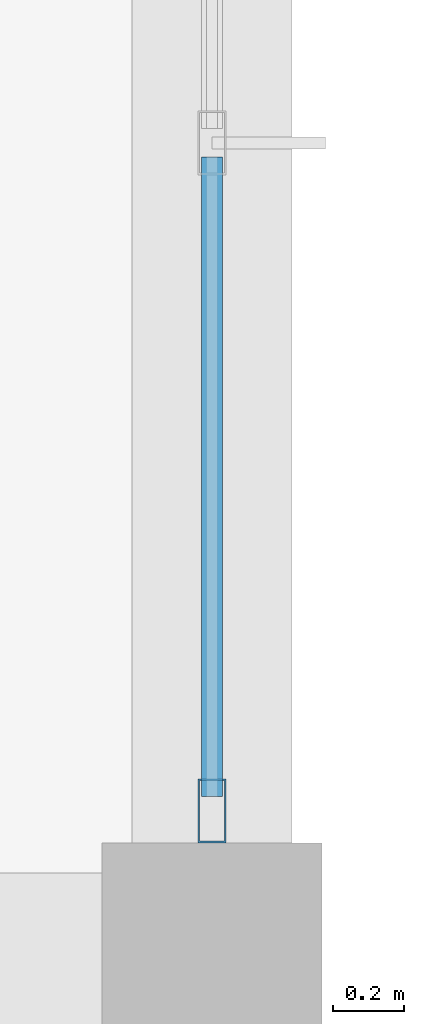
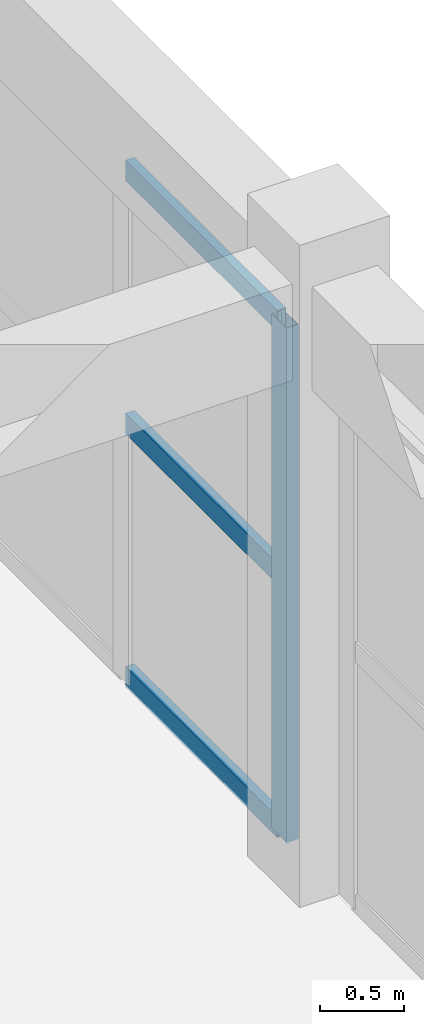
# One storey, part 107 of 167: 4 members, 1 element without a shape of its own.
"""IFC4 building model written with IfcOpenShell, lengths in metres."""

from ifc_helpers import new_model, si_unit, direction, frame, origin, origin_2d, place, context, subcontext, project, spatial, hollow_rectangle, extrude, material, layer, layer_set, material_profile, profile_set, type_object, element, aggregate, save


model = new_model("IFC4")

# Units and contexts
model_context = context("Model", 3, precision=1e-05, world=origin(), true_north=direction((0.0, 1.0)))
body_context = subcontext(model_context, "Body", "Model", "MODEL_VIEW")
ifc_project = project(units=[si_unit("LENGTHUNIT", "METRE"), si_unit("AREAUNIT", "SQUARE_METRE"), si_unit("VOLUMEUNIT", "CUBIC_METRE"), si_unit("PLANEANGLEUNIT", "RADIAN"), si_unit("MASSUNIT", "GRAM", prefix="KILO")], contexts=[model_context])

# Site, building, storey
site_placement = place(None, origin())
site = spatial("IfcSite", under=ifc_project, at=site_placement, CompositionType="ELEMENT")
building_placement = place(site_placement, origin())
building = spatial("IfcBuilding", under=site, at=building_placement, Name="Zizhar Promenade General Hospital", CompositionType="ELEMENT")
storey_placement = place(building_placement, frame((0.0, 0.0, 9.60009765625)))
storey = spatial("IfcBuildingStorey", under=building, at=storey_placement, Name="L02", CompositionType="ELEMENT", Elevation=9.60009765625)

# Curtain wall, members
ifc_material_1 = material(Name="Anodised aluminium 6063-T6 and low-E glass", Category="aluminium")
ifc_layer = layer(ifc_material_1, 0.159912109375)
ifc_layer_set = layer_set([ifc_layer], Name="Anodised aluminium 6063-T6 and low-E glass")
curtain_wall_type = type_object("IfcCurtainWallType", Name="CW-DT-MOD1", PredefinedType="NOTDEFINED", material=ifc_layer_set)
curtain_wall_placement = place(storey_placement, origin())
curtain_wall = element("IfcCurtainWall", 1, at=curtain_wall_placement, inside=storey, type_object=curtain_wall_type, Name="Surgical East Glazed Curtain Wall L02-15", PredefinedType="NOTDEFINED")
ifc_material_2 = material(Name="Anodised aluminium 6063-T6", Category="aluminium")
ifc_material_profile_1 = material_profile(ifc_material_2, hollow_rectangle(XDim=0.080078125, YDim=0.179931640625, WallThickness=0.0048828125, at=origin_2d()))
ifc_profile_set_1 = profile_set([ifc_material_profile_1], Name="Anodised aluminium 6063-T6")
member_type_1 = type_object("IfcMemberType", Name="CWM-ALU-180x80", PredefinedType="MULLION", material=ifc_profile_set_1)
member_1_placement = place(storey_placement, frame((132.60009765625, 126.39990234375, 0.0), z_axis=(0.0, 0.0, 1.0), x_axis=(1.0, 0.0, 0.0)))
member_1 = element("IfcMember", 2, at=member_1_placement, type_object=member_type_1, Name="CW-07 mullion 5", PredefinedType="MULLION", context=body_context, shape_type="SweptSolid", body=[
    extrude(hollow_rectangle(XDim=0.080078125, YDim=0.179931640625, WallThickness=0.0048828125, at=origin_2d()), origin(), (0.0, 0.0, 1.0), 3.72998046875),
])
ifc_material_3 = material(Name="Anodised aluminium 6063-T6", Category="aluminium")
ifc_material_profile_2 = material_profile(ifc_material_3, hollow_rectangle(XDim=0.06005859375, YDim=0.14990234375, WallThickness=0.00390625, at=origin_2d()))
ifc_profile_set_2 = profile_set([ifc_material_profile_2], Name="Anodised aluminium 6063-T6")
member_type_2 = type_object("IfcMemberType", Name="CWT-ALU-150x60", PredefinedType="USERDEFINED", material=ifc_profile_set_2)
member_2_placement = place(storey_placement, frame((132.60009765625, 128.239990234375, 0.02978515625), z_axis=(0.0, -1.0, 0.0), x_axis=(1.0, 0.0, 0.0)))
member_2 = element("IfcMember", 3, at=member_2_placement, type_object=member_type_2, Name="CW-07 transom 4.1", ObjectType="TRANSOM", PredefinedType="USERDEFINED", context=body_context, shape_type="SweptSolid", body=[
    extrude(hollow_rectangle(XDim=0.06005859375, YDim=0.14990234375, WallThickness=0.00390625, at=origin_2d()), origin(), (0.0, 0.0, 1.0), 1.800048828125),
])
member_3_placement = place(storey_placement, frame((132.60009765625, 128.239990234375, 1.864990234375), z_axis=(0.0, -1.0, 0.0), x_axis=(1.0, 0.0, 0.0)))
member_3 = element("IfcMember", 4, at=member_3_placement, type_object=member_type_2, Name="CW-07 transom 4.2", ObjectType="TRANSOM", PredefinedType="USERDEFINED", context=body_context, shape_type="SweptSolid", body=[
    extrude(hollow_rectangle(XDim=0.06005859375, YDim=0.14990234375, WallThickness=0.00390625, at=origin_2d()), origin(), (0.0, 0.0, 1.0), 1.800048828125),
])
member_4_placement = place(storey_placement, frame((132.60009765625, 128.239990234375, 3.699951171875), z_axis=(0.0, -1.0, 0.0), x_axis=(1.0, 0.0, 0.0)))
member_4 = element("IfcMember", 5, at=member_4_placement, type_object=member_type_2, Name="CW-07 transom 4.3", ObjectType="TRANSOM", PredefinedType="USERDEFINED", context=body_context, shape_type="SweptSolid", body=[
    extrude(hollow_rectangle(XDim=0.06005859375, YDim=0.14990234375, WallThickness=0.00390625, at=origin_2d()), origin(), (0.0, 0.0, 1.0), 1.800048828125),
])
aggregate(curtain_wall, [member_1, member_2, member_3, member_4])

save(model, "model.ifc")
